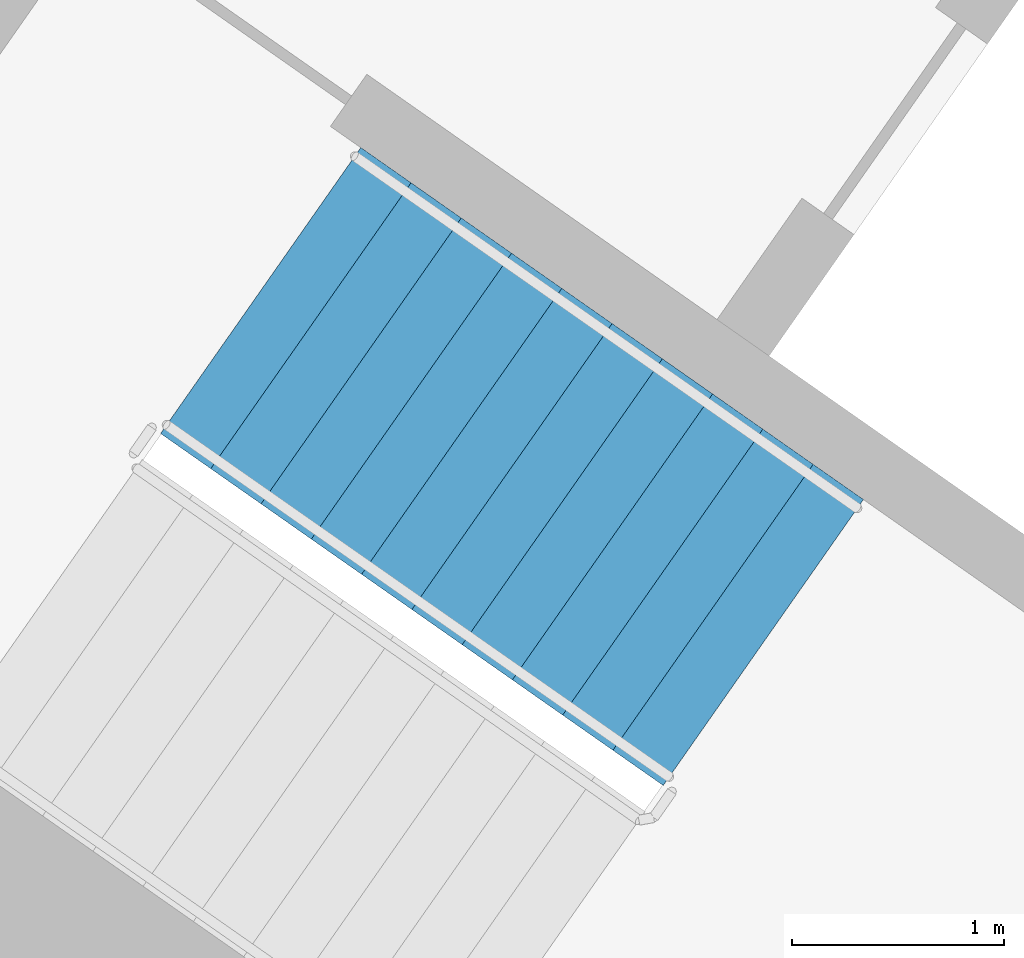
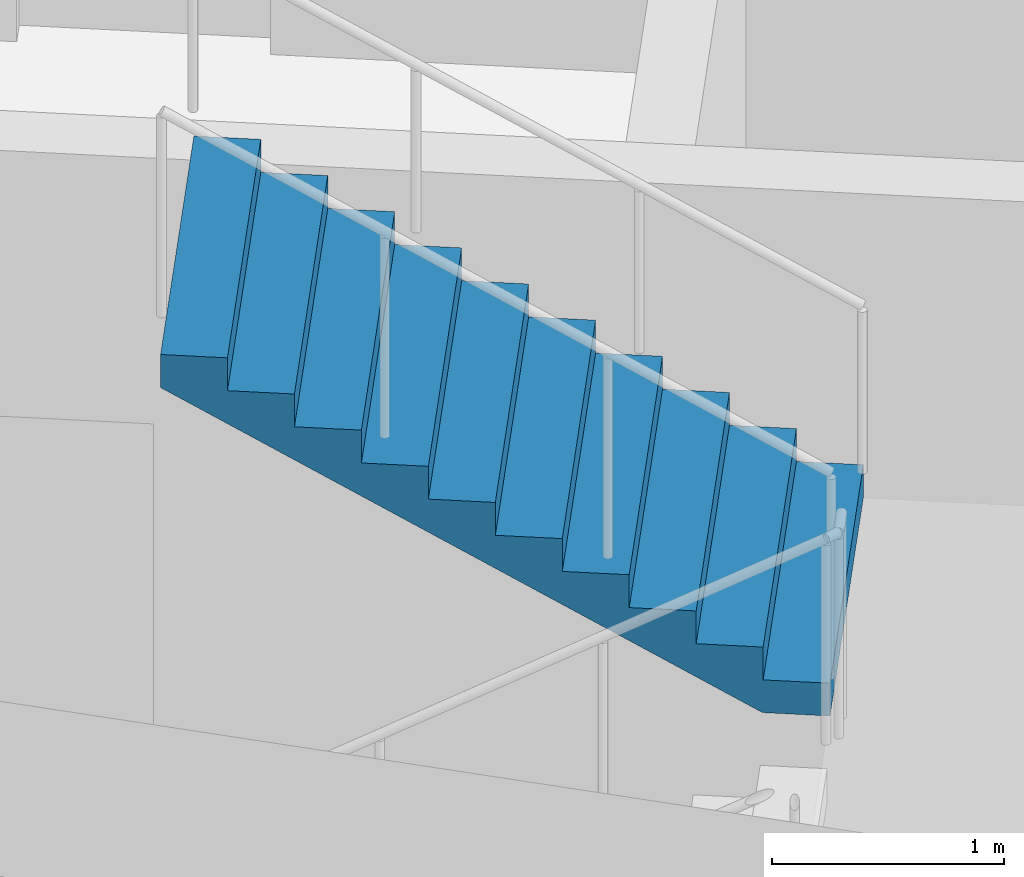
# One storey, part 11 of 30: 1 stair flight, 1 element without a shape of its own.
"""IFC4 building model written with IfcOpenShell, lengths in metres."""

from ifc_helpers import new_model, si_unit, direction, frame, origin, place, context, subcontext, project, spatial, faceted_brep, material, type_object, element, aggregate, save


model = new_model("IFC4")

# Units and contexts
model_context = context("Model", 3, precision=1e-05, world=origin(), true_north=direction((0.0, 1.0)))
body_context = subcontext(model_context, "Body", "Model", "MODEL_VIEW")
ifc_project = project(units=[si_unit("LENGTHUNIT", "METRE"), si_unit("AREAUNIT", "SQUARE_METRE"), si_unit("VOLUMEUNIT", "CUBIC_METRE"), si_unit("PLANEANGLEUNIT", "RADIAN"), si_unit("MASSUNIT", "GRAM", prefix="KILO")], contexts=[model_context])

# Site, building, storey
site_placement = place(None, origin())
site = spatial("IfcSite", under=ifc_project, at=site_placement, CompositionType="ELEMENT")
building_placement = place(site_placement, origin())
building = spatial("IfcBuilding", under=site, at=building_placement, Name="Qamariyya Broadcast Tower", CompositionType="ELEMENT")
storey_placement = place(building_placement, frame((0.0, 0.0, 102.5)))
storey = spatial("IfcBuildingStorey", under=building, at=storey_placement, Name="L22", CompositionType="ELEMENT", Elevation=102.5)

# Stair, stair flight
ifc_material = material(Name="Concrete C50/60", Category="concrete")
stair_type = type_object("IfcStairType", Name="Exit stair 22 risers of 173 mm", PredefinedType="HALF_TURN_STAIR", material=ifc_material)
stair_placement = place(storey_placement, origin())
stair = element("IfcStair", 1, at=stair_placement, inside=storey, type_object=stair_type, Name="L22 Stair W1", PredefinedType="HALF_TURN_STAIR")
stair_flight_type = type_object("IfcStairFlightType", Name="Exit stair flight 11 risers of 173 mm", PredefinedType="STRAIGHT", material=ifc_material)
stair_flight_placement = place(storey_placement, frame((-43.660888671875, -57.17138671875, 1.89990234375), z_axis=(0.0, 0.0, 1.0), x_axis=(-0.819152044289, 0.573576436351, 0.0)))
stair_flight = element("IfcStairFlight", 2, at=stair_flight_placement, type_object=stair_flight_type, Name="ST-W1 flight 2", NumberOfRisers=11, NumberOfTreads=10, PredefinedType="STRAIGHT", RiserHeight=0.172727273, TreadLength=0.29, context=body_context, shape_type="Brep", body=[
    faceted_brep([(0.0, 0.824951171875, 0.0), (0.0, 0.824951171875, 0.172607421875), (0.2900390625, 0.824951171875, 0.172607421875), (0.2900390625, 0.824951171875, 0.345458984375), (0.580078125, 0.824951171875, 0.345458984375), (0.580078125, 0.824951171875, 0.51806640625), (0.8701171875, 0.824951171875, 0.51806640625), (0.8701171875, 0.824951171875, 0.69091796875), (1.159912109375, 0.824951171875, 0.69091796875), (1.159912109375, 0.824951171875, 0.863525390625), (1.449951171875, 0.824951171875, 0.863525390625), (1.449951171875, 0.824951171875, 1.036376953125), (1.739990234375, 0.824951171875, 1.036376953125), (1.739990234375, 0.824951171875, 1.208984375), (2.030029296875, 0.824951171875, 1.208984375), (2.030029296875, 0.824951171875, 1.3818359375), (2.320068359375, 0.824951171875, 1.3818359375), (2.320068359375, 0.824951171875, 1.554443359375), (2.610107421875, 0.824951171875, 1.554443359375), (2.610107421875, 0.824951171875, 1.727294921875), (2.89990234375, 0.824951171875, 1.727294921875), (2.89990234375, 0.824951171875, 1.552734375), (0.29296875, 0.824951171875, 0.0), (0.29296875, -0.824951171875, 0.0), (2.89990234375, -0.824951171875, 1.552734375), (2.89990234375, -0.824951171875, 1.727294921875), (2.610107421875, -0.824951171875, 1.727294921875), (2.610107421875, -0.824951171875, 1.554443359375), (2.320068359375, -0.824951171875, 1.554443359375), (2.320068359375, -0.824951171875, 1.3818359375), (2.030029296875, -0.824951171875, 1.3818359375), (2.030029296875, -0.824951171875, 1.208984375), (1.739990234375, -0.824951171875, 1.208984375), (1.739990234375, -0.824951171875, 1.036376953125), (1.449951171875, -0.824951171875, 1.036376953125), (1.449951171875, -0.824951171875, 0.863525390625), (1.159912109375, -0.824951171875, 0.863525390625), (1.159912109375, -0.824951171875, 0.69091796875), (0.8701171875, -0.824951171875, 0.69091796875), (0.8701171875, -0.824951171875, 0.51806640625), (0.580078125, -0.824951171875, 0.51806640625), (0.580078125, -0.824951171875, 0.345458984375), (0.2900390625, -0.824951171875, 0.345458984375), (0.2900390625, -0.824951171875, 0.172607421875), (0.0, -0.824951171875, 0.172607421875), (0.0, -0.824951171875, 0.0), (0.0, 0.10009765625, 0.0), (0.0, 0.086669921875, 0.0), (0.0, 0.0732421875, 0.0), (0.0, 0.06005859375, 0.0), (0.0, 0.046630859375, 0.0), (0.0, 0.033447265625, 0.0), (0.0, 0.02001953125, 0.0), (0.0, 0.006591796875, 0.0), (0.0, -0.006591796875, 0.0), (0.0, -0.02001953125, 0.0), (0.0, -0.033447265625, 0.0), (0.0, -0.046630859375, 0.0), (0.0, -0.06005859375, 0.0), (0.0, -0.0732421875, 0.0), (0.0, -0.086669921875, 0.0), (0.0, -0.10009765625, 0.0), (0.0, -0.10009765625, 0.172607421875), (0.0, -0.086669921875, 0.172607421875), (0.0, -0.0732421875, 0.172607421875), (0.0, -0.06005859375, 0.172607421875), (0.0, -0.046630859375, 0.172607421875), (0.0, -0.033447265625, 0.172607421875), (0.0, -0.02001953125, 0.172607421875), (0.0, -0.006591796875, 0.172607421875), (0.0, 0.006591796875, 0.172607421875), (0.0, 0.02001953125, 0.172607421875), (0.0, 0.033447265625, 0.172607421875), (0.0, 0.046630859375, 0.172607421875), (0.0, 0.06005859375, 0.172607421875), (0.0, 0.0732421875, 0.172607421875), (0.0, 0.086669921875, 0.172607421875), (0.0, 0.10009765625, 0.172607421875), (0.2900390625, -0.10009765625, 0.172607421875), (0.2900390625, -0.086669921875, 0.172607421875), (0.2900390625, -0.0732421875, 0.172607421875), (0.2900390625, -0.06005859375, 0.172607421875), (0.2900390625, -0.046630859375, 0.172607421875), (0.2900390625, -0.033447265625, 0.172607421875), (0.2900390625, -0.02001953125, 0.172607421875), (0.2900390625, -0.006591796875, 0.172607421875), (0.2900390625, 0.006591796875, 0.172607421875), (0.2900390625, 0.02001953125, 0.172607421875), (0.2900390625, 0.033447265625, 0.172607421875), (0.2900390625, 0.046630859375, 0.172607421875), (0.2900390625, 0.06005859375, 0.172607421875), (0.2900390625, 0.0732421875, 0.172607421875), (0.2900390625, 0.086669921875, 0.172607421875), (0.2900390625, 0.10009765625, 0.172607421875), (0.2900390625, -0.10009765625, 0.345458984375), (0.2900390625, -0.086669921875, 0.345458984375), (0.2900390625, -0.0732421875, 0.345458984375), (0.2900390625, -0.06005859375, 0.345458984375), (0.2900390625, -0.046630859375, 0.345458984375), (0.2900390625, -0.033447265625, 0.345458984375), (0.2900390625, -0.02001953125, 0.345458984375), (0.2900390625, -0.006591796875, 0.345458984375), (0.2900390625, 0.006591796875, 0.345458984375), (0.2900390625, 0.02001953125, 0.345458984375), (0.2900390625, 0.033447265625, 0.345458984375), (0.2900390625, 0.046630859375, 0.345458984375), (0.2900390625, 0.06005859375, 0.345458984375), (0.2900390625, 0.0732421875, 0.345458984375), (0.2900390625, 0.086669921875, 0.345458984375), (0.2900390625, 0.10009765625, 0.345458984375), (0.580078125, -0.10009765625, 0.345458984375), (0.580078125, -0.086669921875, 0.345458984375), (0.580078125, -0.0732421875, 0.345458984375), (0.580078125, -0.06005859375, 0.345458984375), (0.580078125, -0.046630859375, 0.345458984375), (0.580078125, -0.033447265625, 0.345458984375), (0.580078125, -0.02001953125, 0.345458984375), (0.580078125, -0.006591796875, 0.345458984375), (0.580078125, 0.006591796875, 0.345458984375), (0.580078125, 0.02001953125, 0.345458984375), (0.580078125, 0.033447265625, 0.345458984375), (0.580078125, 0.046630859375, 0.345458984375), (0.580078125, 0.06005859375, 0.345458984375), (0.580078125, 0.0732421875, 0.345458984375), (0.580078125, 0.086669921875, 0.345458984375), (0.580078125, 0.10009765625, 0.345458984375), (0.580078125, -0.10009765625, 0.51806640625), (0.580078125, -0.086669921875, 0.51806640625), (0.580078125, -0.0732421875, 0.51806640625), (0.580078125, -0.06005859375, 0.51806640625), (0.580078125, -0.046630859375, 0.51806640625), (0.580078125, -0.033447265625, 0.51806640625), (0.580078125, -0.02001953125, 0.51806640625), (0.580078125, -0.006591796875, 0.51806640625), (0.580078125, 0.006591796875, 0.51806640625), (0.580078125, 0.02001953125, 0.51806640625), (0.580078125, 0.033447265625, 0.51806640625), (0.580078125, 0.046630859375, 0.51806640625), (0.580078125, 0.06005859375, 0.51806640625), (0.580078125, 0.0732421875, 0.51806640625), (0.580078125, 0.086669921875, 0.51806640625), (0.580078125, 0.10009765625, 0.51806640625), (0.8701171875, -0.10009765625, 0.51806640625), (0.8701171875, -0.086669921875, 0.51806640625), (0.8701171875, -0.0732421875, 0.51806640625), (0.8701171875, -0.06005859375, 0.51806640625), (0.8701171875, -0.046630859375, 0.51806640625), (0.8701171875, -0.033447265625, 0.51806640625), (0.8701171875, -0.02001953125, 0.51806640625), (0.8701171875, -0.006591796875, 0.51806640625), (0.8701171875, 0.006591796875, 0.51806640625), (0.8701171875, 0.02001953125, 0.51806640625), (0.8701171875, 0.033447265625, 0.51806640625), (0.8701171875, 0.046630859375, 0.51806640625), (0.8701171875, 0.06005859375, 0.51806640625), (0.8701171875, 0.0732421875, 0.51806640625), (0.8701171875, 0.086669921875, 0.51806640625), (0.8701171875, 0.10009765625, 0.51806640625), (0.8701171875, -0.10009765625, 0.69091796875), (0.8701171875, -0.086669921875, 0.69091796875), (0.8701171875, -0.0732421875, 0.69091796875), (0.8701171875, -0.06005859375, 0.69091796875), (0.8701171875, -0.046630859375, 0.69091796875), (0.8701171875, -0.033447265625, 0.69091796875), (0.8701171875, -0.02001953125, 0.69091796875), (0.8701171875, -0.006591796875, 0.69091796875), (0.8701171875, 0.006591796875, 0.69091796875), (0.8701171875, 0.02001953125, 0.69091796875), (0.8701171875, 0.033447265625, 0.69091796875), (0.8701171875, 0.046630859375, 0.69091796875), (0.8701171875, 0.06005859375, 0.69091796875), (0.8701171875, 0.0732421875, 0.69091796875), (0.8701171875, 0.086669921875, 0.69091796875), (0.8701171875, 0.10009765625, 0.69091796875), (1.159912109375, -0.10009765625, 0.69091796875), (1.159912109375, -0.086669921875, 0.69091796875), (1.159912109375, -0.0732421875, 0.69091796875), (1.159912109375, -0.06005859375, 0.69091796875), (1.159912109375, -0.046630859375, 0.69091796875), (1.159912109375, -0.033447265625, 0.69091796875), (1.159912109375, -0.02001953125, 0.69091796875), (1.159912109375, -0.006591796875, 0.69091796875), (1.159912109375, 0.006591796875, 0.69091796875), (1.159912109375, 0.02001953125, 0.69091796875), (1.159912109375, 0.033447265625, 0.69091796875), (1.159912109375, 0.046630859375, 0.69091796875), (1.159912109375, 0.06005859375, 0.69091796875), (1.159912109375, 0.0732421875, 0.69091796875), (1.159912109375, 0.086669921875, 0.69091796875), (1.159912109375, 0.10009765625, 0.69091796875), (1.159912109375, -0.10009765625, 0.863525390625), (1.159912109375, -0.086669921875, 0.863525390625), (1.159912109375, -0.0732421875, 0.863525390625), (1.159912109375, -0.06005859375, 0.863525390625), (1.159912109375, -0.046630859375, 0.863525390625), (1.159912109375, -0.033447265625, 0.863525390625), (1.159912109375, -0.02001953125, 0.863525390625), (1.159912109375, -0.006591796875, 0.863525390625), (1.159912109375, 0.006591796875, 0.863525390625), (1.159912109375, 0.02001953125, 0.863525390625), (1.159912109375, 0.033447265625, 0.863525390625), (1.159912109375, 0.046630859375, 0.863525390625), (1.159912109375, 0.06005859375, 0.863525390625), (1.159912109375, 0.0732421875, 0.863525390625), (1.159912109375, 0.086669921875, 0.863525390625), (1.159912109375, 0.10009765625, 0.863525390625), (1.449951171875, -0.10009765625, 0.863525390625), (1.449951171875, -0.086669921875, 0.863525390625), (1.449951171875, -0.0732421875, 0.863525390625), (1.449951171875, -0.06005859375, 0.863525390625), (1.449951171875, -0.046630859375, 0.863525390625), (1.449951171875, -0.033447265625, 0.863525390625), (1.449951171875, -0.02001953125, 0.863525390625), (1.449951171875, -0.006591796875, 0.863525390625), (1.449951171875, 0.006591796875, 0.863525390625), (1.449951171875, 0.02001953125, 0.863525390625), (1.449951171875, 0.033447265625, 0.863525390625), (1.449951171875, 0.046630859375, 0.863525390625), (1.449951171875, 0.06005859375, 0.863525390625), (1.449951171875, 0.0732421875, 0.863525390625), (1.449951171875, 0.086669921875, 0.863525390625), (1.449951171875, 0.10009765625, 0.863525390625), (1.449951171875, -0.10009765625, 1.036376953125), (1.449951171875, -0.086669921875, 1.036376953125), (1.449951171875, -0.0732421875, 1.036376953125), (1.449951171875, -0.06005859375, 1.036376953125), (1.449951171875, -0.046630859375, 1.036376953125), (1.449951171875, -0.033447265625, 1.036376953125), (1.449951171875, -0.02001953125, 1.036376953125), (1.449951171875, -0.006591796875, 1.036376953125), (1.449951171875, 0.006591796875, 1.036376953125), (1.449951171875, 0.02001953125, 1.036376953125), (1.449951171875, 0.033447265625, 1.036376953125), (1.449951171875, 0.046630859375, 1.036376953125), (1.449951171875, 0.06005859375, 1.036376953125), (1.449951171875, 0.0732421875, 1.036376953125), (1.449951171875, 0.086669921875, 1.036376953125), (1.449951171875, 0.10009765625, 1.036376953125), (1.739990234375, -0.10009765625, 1.036376953125), (1.739990234375, -0.086669921875, 1.036376953125), (1.739990234375, -0.0732421875, 1.036376953125), (1.739990234375, -0.06005859375, 1.036376953125), (1.739990234375, -0.046630859375, 1.036376953125), (1.739990234375, -0.033447265625, 1.036376953125), (1.739990234375, -0.02001953125, 1.036376953125), (1.739990234375, -0.006591796875, 1.036376953125), (1.739990234375, 0.006591796875, 1.036376953125), (1.739990234375, 0.02001953125, 1.036376953125), (1.739990234375, 0.033447265625, 1.036376953125), (1.739990234375, 0.046630859375, 1.036376953125), (1.739990234375, 0.06005859375, 1.036376953125), (1.739990234375, 0.0732421875, 1.036376953125), (1.739990234375, 0.086669921875, 1.036376953125), (1.739990234375, 0.10009765625, 1.036376953125), (1.739990234375, -0.10009765625, 1.208984375), (1.739990234375, -0.086669921875, 1.208984375), (1.739990234375, -0.0732421875, 1.208984375), (1.739990234375, -0.06005859375, 1.208984375), (1.739990234375, -0.046630859375, 1.208984375), (1.739990234375, -0.033447265625, 1.208984375), (1.739990234375, -0.02001953125, 1.208984375), (1.739990234375, -0.006591796875, 1.208984375), (1.739990234375, 0.006591796875, 1.208984375), (1.739990234375, 0.02001953125, 1.208984375), (1.739990234375, 0.033447265625, 1.208984375), (1.739990234375, 0.046630859375, 1.208984375), (1.739990234375, 0.06005859375, 1.208984375), (1.739990234375, 0.0732421875, 1.208984375), (1.739990234375, 0.086669921875, 1.208984375), (1.739990234375, 0.10009765625, 1.208984375), (2.030029296875, -0.10009765625, 1.208984375), (2.030029296875, -0.086669921875, 1.208984375), (2.030029296875, -0.0732421875, 1.208984375), (2.030029296875, -0.06005859375, 1.208984375), (2.030029296875, -0.046630859375, 1.208984375), (2.030029296875, -0.033447265625, 1.208984375), (2.030029296875, -0.02001953125, 1.208984375), (2.030029296875, -0.006591796875, 1.208984375), (2.030029296875, 0.006591796875, 1.208984375), (2.030029296875, 0.02001953125, 1.208984375), (2.030029296875, 0.033447265625, 1.208984375), (2.030029296875, 0.046630859375, 1.208984375), (2.030029296875, 0.06005859375, 1.208984375), (2.030029296875, 0.0732421875, 1.208984375), (2.030029296875, 0.086669921875, 1.208984375), (2.030029296875, 0.10009765625, 1.208984375), (2.030029296875, -0.10009765625, 1.3818359375), (2.030029296875, -0.086669921875, 1.3818359375), (2.030029296875, -0.0732421875, 1.3818359375), (2.030029296875, -0.06005859375, 1.3818359375), (2.030029296875, -0.046630859375, 1.3818359375), (2.030029296875, -0.033447265625, 1.3818359375), (2.030029296875, -0.02001953125, 1.3818359375), (2.030029296875, -0.006591796875, 1.3818359375), (2.030029296875, 0.006591796875, 1.3818359375), (2.030029296875, 0.02001953125, 1.3818359375), (2.030029296875, 0.033447265625, 1.3818359375), (2.030029296875, 0.046630859375, 1.3818359375), (2.030029296875, 0.06005859375, 1.3818359375), (2.030029296875, 0.0732421875, 1.3818359375), (2.030029296875, 0.086669921875, 1.3818359375), (2.030029296875, 0.10009765625, 1.3818359375), (2.320068359375, -0.10009765625, 1.3818359375), (2.320068359375, -0.086669921875, 1.3818359375), (2.320068359375, -0.0732421875, 1.3818359375), (2.320068359375, -0.06005859375, 1.3818359375), (2.320068359375, -0.046630859375, 1.3818359375), (2.320068359375, -0.033447265625, 1.3818359375), (2.320068359375, -0.02001953125, 1.3818359375), (2.320068359375, -0.006591796875, 1.3818359375), (2.320068359375, 0.006591796875, 1.3818359375), (2.320068359375, 0.02001953125, 1.3818359375), (2.320068359375, 0.033447265625, 1.3818359375), (2.320068359375, 0.046630859375, 1.3818359375), (2.320068359375, 0.06005859375, 1.3818359375), (2.320068359375, 0.0732421875, 1.3818359375), (2.320068359375, 0.086669921875, 1.3818359375), (2.320068359375, 0.10009765625, 1.3818359375), (2.320068359375, -0.10009765625, 1.554443359375), (2.320068359375, -0.086669921875, 1.554443359375), (2.320068359375, -0.0732421875, 1.554443359375), (2.320068359375, -0.06005859375, 1.554443359375), (2.320068359375, -0.046630859375, 1.554443359375), (2.320068359375, -0.033447265625, 1.554443359375), (2.320068359375, -0.02001953125, 1.554443359375), (2.320068359375, -0.006591796875, 1.554443359375), (2.320068359375, 0.006591796875, 1.554443359375), (2.320068359375, 0.02001953125, 1.554443359375), (2.320068359375, 0.033447265625, 1.554443359375), (2.320068359375, 0.046630859375, 1.554443359375), (2.320068359375, 0.06005859375, 1.554443359375), (2.320068359375, 0.0732421875, 1.554443359375), (2.320068359375, 0.086669921875, 1.554443359375), (2.320068359375, 0.10009765625, 1.554443359375), (2.610107421875, -0.10009765625, 1.554443359375), (2.610107421875, -0.086669921875, 1.554443359375), (2.610107421875, -0.0732421875, 1.554443359375), (2.610107421875, -0.06005859375, 1.554443359375), (2.610107421875, -0.046630859375, 1.554443359375), (2.610107421875, -0.033447265625, 1.554443359375), (2.610107421875, -0.02001953125, 1.554443359375), (2.610107421875, -0.006591796875, 1.554443359375), (2.610107421875, 0.006591796875, 1.554443359375), (2.610107421875, 0.02001953125, 1.554443359375), (2.610107421875, 0.033447265625, 1.554443359375), (2.610107421875, 0.046630859375, 1.554443359375), (2.610107421875, 0.06005859375, 1.554443359375), (2.610107421875, 0.0732421875, 1.554443359375), (2.610107421875, 0.086669921875, 1.554443359375), (2.610107421875, 0.10009765625, 1.554443359375), (2.610107421875, -0.10009765625, 1.727294921875), (2.610107421875, -0.086669921875, 1.727294921875), (2.610107421875, -0.0732421875, 1.727294921875), (2.610107421875, -0.06005859375, 1.727294921875), (2.610107421875, -0.046630859375, 1.727294921875), (2.610107421875, -0.033447265625, 1.727294921875), (2.610107421875, -0.02001953125, 1.727294921875), (2.610107421875, -0.006591796875, 1.727294921875), (2.610107421875, 0.006591796875, 1.727294921875), (2.610107421875, 0.02001953125, 1.727294921875), (2.610107421875, 0.033447265625, 1.727294921875), (2.610107421875, 0.046630859375, 1.727294921875), (2.610107421875, 0.06005859375, 1.727294921875), (2.610107421875, 0.0732421875, 1.727294921875), (2.610107421875, 0.086669921875, 1.727294921875), (2.610107421875, 0.10009765625, 1.727294921875), (2.89990234375, -0.10009765625, 1.727294921875), (2.89990234375, -0.086669921875, 1.727294921875), (2.89990234375, -0.0732421875, 1.727294921875), (2.89990234375, -0.06005859375, 1.727294921875), (2.89990234375, -0.046630859375, 1.727294921875), (2.89990234375, -0.033447265625, 1.727294921875), (2.89990234375, -0.02001953125, 1.727294921875), (2.89990234375, -0.006591796875, 1.727294921875), (2.89990234375, 0.006591796875, 1.727294921875), (2.89990234375, 0.02001953125, 1.727294921875), (2.89990234375, 0.033447265625, 1.727294921875), (2.89990234375, 0.046630859375, 1.727294921875), (2.89990234375, 0.06005859375, 1.727294921875), (2.89990234375, 0.0732421875, 1.727294921875), (2.89990234375, 0.086669921875, 1.727294921875), (2.89990234375, 0.10009765625, 1.727294921875), (2.89990234375, -0.10009765625, 1.552734375), (2.89990234375, -0.086669921875, 1.552734375), (2.89990234375, -0.0732421875, 1.552734375), (2.89990234375, -0.06005859375, 1.552734375), (2.89990234375, -0.046630859375, 1.552734375), (2.89990234375, -0.033447265625, 1.552734375), (2.89990234375, -0.02001953125, 1.552734375), (2.89990234375, -0.006591796875, 1.552734375), (2.89990234375, 0.006591796875, 1.552734375), (2.89990234375, 0.02001953125, 1.552734375), (2.89990234375, 0.033447265625, 1.552734375), (2.89990234375, 0.046630859375, 1.552734375), (2.89990234375, 0.06005859375, 1.552734375), (2.89990234375, 0.0732421875, 1.552734375), (2.89990234375, 0.086669921875, 1.552734375), (2.89990234375, 0.10009765625, 1.552734375), (0.29296875, -0.10009765625, 0.0), (0.29296875, -0.086669921875, 0.0), (0.29296875, -0.0732421875, 0.0), (0.29296875, -0.06005859375, 0.0), (0.29296875, -0.046630859375, 0.0), (0.29296875, -0.033447265625, 0.0), (0.29296875, -0.02001953125, 0.0), (0.29296875, -0.006591796875, 0.0), (0.29296875, 0.006591796875, 0.0), (0.29296875, 0.02001953125, 0.0), (0.29296875, 0.033447265625, 0.0), (0.29296875, 0.046630859375, 0.0), (0.29296875, 0.06005859375, 0.0), (0.29296875, 0.0732421875, 0.0), (0.29296875, 0.086669921875, 0.0), (0.29296875, 0.10009765625, 0.0)], [[[0, 1, 2, 3, 4, 5, 6, 7, 8, 9, 10, 11, 12, 13, 14, 15, 16, 17, 18, 19, 20, 21, 22]], [[23, 24, 25, 26, 27, 28, 29, 30, 31, 32, 33, 34, 35, 36, 37, 38, 39, 40, 41, 42, 43, 44, 45]], [[0, 46, 47, 48, 49, 50, 51, 52, 53, 54, 55, 56, 57, 58, 59, 60, 61, 45, 44, 62, 63, 64, 65, 66, 67, 68, 69, 70, 71, 72, 73, 74, 75, 76, 77, 1]], [[1, 77, 76, 75, 74, 73, 72, 71, 70, 69, 68, 67, 66, 65, 64, 63, 62, 44, 43, 78, 79, 80, 81, 82, 83, 84, 85, 86, 87, 88, 89, 90, 91, 92, 93, 2]], [[2, 93, 92, 91, 90, 89, 88, 87, 86, 85, 84, 83, 82, 81, 80, 79, 78, 43, 42, 94, 95, 96, 97, 98, 99, 100, 101, 102, 103, 104, 105, 106, 107, 108, 109, 3]], [[3, 109, 108, 107, 106, 105, 104, 103, 102, 101, 100, 99, 98, 97, 96, 95, 94, 42, 41, 110, 111, 112, 113, 114, 115, 116, 117, 118, 119, 120, 121, 122, 123, 124, 125, 4]], [[4, 125, 124, 123, 122, 121, 120, 119, 118, 117, 116, 115, 114, 113, 112, 111, 110, 41, 40, 126, 127, 128, 129, 130, 131, 132, 133, 134, 135, 136, 137, 138, 139, 140, 141, 5]], [[5, 141, 140, 139, 138, 137, 136, 135, 134, 133, 132, 131, 130, 129, 128, 127, 126, 40, 39, 142, 143, 144, 145, 146, 147, 148, 149, 150, 151, 152, 153, 154, 155, 156, 157, 6]], [[6, 157, 156, 155, 154, 153, 152, 151, 150, 149, 148, 147, 146, 145, 144, 143, 142, 39, 38, 158, 159, 160, 161, 162, 163, 164, 165, 166, 167, 168, 169, 170, 171, 172, 173, 7]], [[7, 173, 172, 171, 170, 169, 168, 167, 166, 165, 164, 163, 162, 161, 160, 159, 158, 38, 37, 174, 175, 176, 177, 178, 179, 180, 181, 182, 183, 184, 185, 186, 187, 188, 189, 8]], [[8, 189, 188, 187, 186, 185, 184, 183, 182, 181, 180, 179, 178, 177, 176, 175, 174, 37, 36, 190, 191, 192, 193, 194, 195, 196, 197, 198, 199, 200, 201, 202, 203, 204, 205, 9]], [[9, 205, 204, 203, 202, 201, 200, 199, 198, 197, 196, 195, 194, 193, 192, 191, 190, 36, 35, 206, 207, 208, 209, 210, 211, 212, 213, 214, 215, 216, 217, 218, 219, 220, 221, 10]], [[10, 221, 220, 219, 218, 217, 216, 215, 214, 213, 212, 211, 210, 209, 208, 207, 206, 35, 34, 222, 223, 224, 225, 226, 227, 228, 229, 230, 231, 232, 233, 234, 235, 236, 237, 11]], [[11, 237, 236, 235, 234, 233, 232, 231, 230, 229, 228, 227, 226, 225, 224, 223, 222, 34, 33, 238, 239, 240, 241, 242, 243, 244, 245, 246, 247, 248, 249, 250, 251, 252, 253, 12]], [[12, 253, 252, 251, 250, 249, 248, 247, 246, 245, 244, 243, 242, 241, 240, 239, 238, 33, 32, 254, 255, 256, 257, 258, 259, 260, 261, 262, 263, 264, 265, 266, 267, 268, 269, 13]], [[13, 269, 268, 267, 266, 265, 264, 263, 262, 261, 260, 259, 258, 257, 256, 255, 254, 32, 31, 270, 271, 272, 273, 274, 275, 276, 277, 278, 279, 280, 281, 282, 283, 284, 285, 14]], [[14, 285, 284, 283, 282, 281, 280, 279, 278, 277, 276, 275, 274, 273, 272, 271, 270, 31, 30, 286, 287, 288, 289, 290, 291, 292, 293, 294, 295, 296, 297, 298, 299, 300, 301, 15]], [[15, 301, 300, 299, 298, 297, 296, 295, 294, 293, 292, 291, 290, 289, 288, 287, 286, 30, 29, 302, 303, 304, 305, 306, 307, 308, 309, 310, 311, 312, 313, 314, 315, 316, 317, 16]], [[16, 317, 316, 315, 314, 313, 312, 311, 310, 309, 308, 307, 306, 305, 304, 303, 302, 29, 28, 318, 319, 320, 321, 322, 323, 324, 325, 326, 327, 328, 329, 330, 331, 332, 333, 17]], [[17, 333, 332, 331, 330, 329, 328, 327, 326, 325, 324, 323, 322, 321, 320, 319, 318, 28, 27, 334, 335, 336, 337, 338, 339, 340, 341, 342, 343, 344, 345, 346, 347, 348, 349, 18]], [[18, 349, 348, 347, 346, 345, 344, 343, 342, 341, 340, 339, 338, 337, 336, 335, 334, 27, 26, 350, 351, 352, 353, 354, 355, 356, 357, 358, 359, 360, 361, 362, 363, 364, 365, 19]], [[19, 365, 364, 363, 362, 361, 360, 359, 358, 357, 356, 355, 354, 353, 352, 351, 350, 26, 25, 366, 367, 368, 369, 370, 371, 372, 373, 374, 375, 376, 377, 378, 379, 380, 381, 20]], [[20, 381, 380, 379, 378, 377, 376, 375, 374, 373, 372, 371, 370, 369, 368, 367, 366, 25, 24, 382, 383, 384, 385, 386, 387, 388, 389, 390, 391, 392, 393, 394, 395, 396, 397, 21]], [[21, 397, 396, 395, 394, 393, 392, 391, 390, 389, 388, 387, 386, 385, 384, 383, 382, 24, 23, 398, 399, 400, 401, 402, 403, 404, 405, 406, 407, 408, 409, 410, 411, 412, 413, 22]], [[22, 413, 412, 411, 410, 409, 408, 407, 406, 405, 404, 403, 402, 401, 400, 399, 398, 23, 45, 61, 60, 59, 58, 57, 56, 55, 54, 53, 52, 51, 50, 49, 48, 47, 46, 0]]]),
])
aggregate(stair, [stair_flight])

save(model, "model.ifc")
